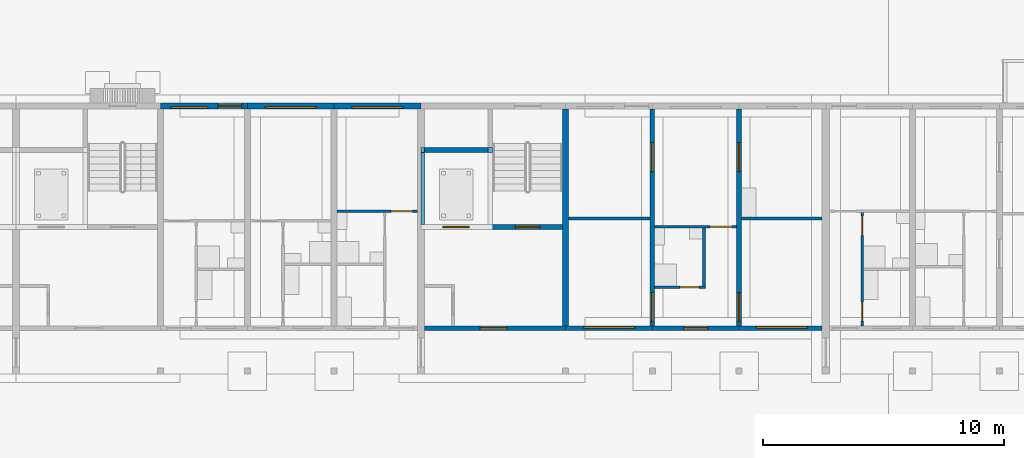
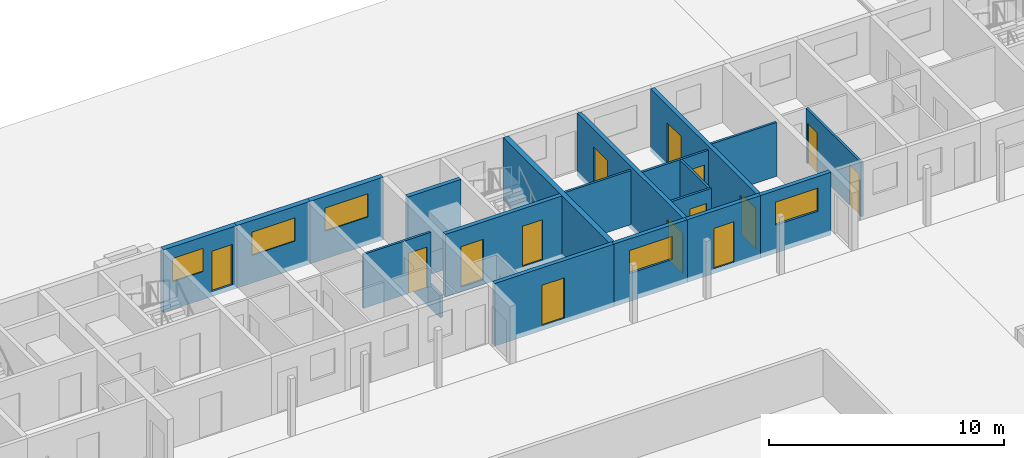
# One storey, part 49 of 112: 21 walls, 14 doors, 5 windows, 19 openings.
"""IFC4 building model written with IfcOpenShell, lengths in metres."""

from ifc_helpers import new_model, si_unit, direction, frame, frame_2d, origin, place, context, subcontext, project, spatial, rectangle, extrude, material, layer, layer_set, type_object, element, fill, save


model = new_model("IFC4")

# Units and contexts
model_context = context("Model", 3, precision=1e-05, world=origin(), true_north=direction((0.0, 1.0)))
body_context = subcontext(model_context, "Body", "Model", "MODEL_VIEW")
ifc_project = project(units=[si_unit("LENGTHUNIT", "METRE"), si_unit("AREAUNIT", "SQUARE_METRE"), si_unit("VOLUMEUNIT", "CUBIC_METRE"), si_unit("PLANEANGLEUNIT", "RADIAN"), si_unit("MASSUNIT", "GRAM", prefix="KILO")], contexts=[model_context])

# Site, building, storey
site_placement = place(None, origin())
site = spatial("IfcSite", under=ifc_project, at=site_placement, CompositionType="ELEMENT")
building_placement = place(site_placement, origin())
building = spatial("IfcBuilding", under=site, at=building_placement, Name="Ridgestep Commons", CompositionType="ELEMENT")
storey_placement = place(building_placement, origin())
storey = spatial("IfcBuildingStorey", under=building, at=storey_placement, Name="L00", CompositionType="ELEMENT", Elevation=0.0)

# Wall
ifc_material_1 = material(Name="Concrete C30/37", Category="concrete")
ifc_layer_1 = layer(ifc_material_1, 0.25)
ifc_layer_set_1 = layer_set([ifc_layer_1], Name="Core cross wall 250")
wall_type_1 = type_object("IfcWallType", Name="Core cross wall 250", PredefinedType="SHEAR", material=ifc_layer_set_1)
wall_1_placement = place(storey_placement, frame((51.60009765625, 68.0, -0.25), z_axis=(0.0, 0.0, 1.0), x_axis=(0.0, 1.0, 0.0)))
element("IfcWall", 1, at=wall_1_placement, inside=storey, type_object=wall_type_1, Name="Cross wall B-00-0516", PredefinedType="SHEAR", context=body_context, shape_type="SweptSolid", body=[
    extrude(rectangle(XDim=9.0, YDim=0.25, at=frame_2d((4.5, 0.0))), origin(), (0.0, 0.0, 1.0), 3.25),
])

# Wall, opening, door
ifc_material_2 = material(Name="Concrete C30/37", Category="concrete")
ifc_layer_2 = layer(ifc_material_2, 0.199951171875)
ifc_layer_set_2 = layer_set([ifc_layer_2], Name="Core south wall 200")
wall_type_2 = type_object("IfcWallType", Name="Core south wall 200", PredefinedType="SHEAR", material=ifc_layer_set_2)
wall_2_placement = place(storey_placement, frame((45.75, 67.89990234375, -0.25), z_axis=(0.0, 0.0, 1.0), x_axis=(1.0, 0.0, 0.0)))
wall_2 = element("IfcWall", 2, at=wall_2_placement, inside=storey, type_object=wall_type_2, Name="Core south wall B3C L00", PredefinedType="SHEAR", context=body_context, shape_type="SweptSolid", body=[
    extrude(rectangle(XDim=5.85009765625, YDim=0.199951171875, at=frame_2d((2.925048828125, 0.0))), origin(), (0.0, 0.0, 1.0), 3.25),
])
opening_1_placement = place(wall_2_placement, frame((2.3125, 0.0, 0.25)))
opening_1 = element("IfcOpeningElement", 3, at=opening_1_placement, cuts=wall_2, Name="Opening B3C/00/1", PredefinedType="OPENING", context=body_context, shape_type="SweptSolid", body=[
    extrude(rectangle(XDim=1.10009765625, YDim=2.10009765625, at=frame_2d((0.550048828125, 1.050048828125))), frame((0.0, 0.10986328125, 0.0), z_axis=(0.0, -1.0, 0.0), x_axis=(1.0, 0.0, 0.0)), (0.0, 0.0, 1.0), 0.219970703125),
])
ifc_material_3 = material(Name="Steel fire door", Category="steel")
door_type_1 = type_object("IfcDoorType", Name="Lobby door 1100 x 2100 FD60", OperationType="NOTDEFINED", PredefinedType="DOOR", material=ifc_material_3)
door_1_placement = place(opening_1_placement, origin())
door_1 = element("IfcDoor", 4, at=door_1_placement, inside=storey, type_object=door_type_1, Name="Lobby door B3C/00/1", OperationType="SINGLE_SWING_LEFT", OverallHeight=2.10009765625, OverallWidth=1.10009765625, PredefinedType="DOOR", context=body_context, shape_type="SweptSolid", body=[
    extrude(rectangle(XDim=1.10009765625, YDim=2.10009765625, at=frame_2d((0.550048828125, 1.050048828125))), frame((0.0, 0.02490234375, 0.0), z_axis=(0.0, -1.0, 0.0), x_axis=(1.0, 0.0, 0.0)), (0.0, 0.0, 1.0), 0.050048828125),
])
fill(opening_1, door_1)

# Wall
ifc_material_4 = material(Name="Concrete C30/37", Category="concrete")
ifc_layer_3 = layer(ifc_material_4, 0.14990234375)
ifc_layer_set_3 = layer_set([ifc_layer_3], Name="Core wall 150")
wall_type_3 = type_object("IfcWallType", Name="Core wall 150", PredefinedType="SHEAR", material=ifc_layer_set_3)
wall_3_placement = place(storey_placement, frame((45.675048828125, 72.199951171875, -1.39990234375), z_axis=(0.0, 0.0, 1.0), x_axis=(0.0, 1.0, 0.0)))
element("IfcWall", 5, at=wall_3_placement, inside=storey, type_object=wall_type_3, Name="Lift pit wall B3C", PredefinedType="SHEAR", context=body_context, shape_type="SweptSolid", body=[
    extrude(rectangle(XDim=3.0, YDim=0.14990234375, at=frame_2d((1.5, 0.0))), origin(), (0.0, 0.0, 1.0), 1.14990234375),
])

# Wall, openings, doors
ifc_material_5 = material(Name="Concrete C30/37", Category="concrete")
ifc_layer_4 = layer(ifc_material_5, 0.199951171875)
ifc_layer_set_4 = layer_set([ifc_layer_4], Name="Core wall 200")
wall_type_4 = type_object("IfcWallType", Name="Core wall 200", PredefinedType="SHEAR", material=ifc_layer_set_4)
wall_4_placement = place(storey_placement, frame((45.75, 72.10009765625, -0.25), z_axis=(0.0, 0.0, 1.0), x_axis=(1.0, 0.0, 0.0)))
wall_4 = element("IfcWall", 6, at=wall_4_placement, inside=storey, type_object=wall_type_4, Name="Core lobby wall B3C L00", PredefinedType="SHEAR", context=body_context, shape_type="SweptSolid", body=[
    extrude(rectangle(XDim=5.72509765625, YDim=0.199951171875, at=frame_2d((2.862548828125, 0.0))), origin(), (0.0, 0.0, 1.0), 3.25),
])
opening_2_placement = place(wall_4_placement, frame((3.77490234375, 0.0, 0.25)))
opening_2 = element("IfcOpeningElement", 7, at=opening_2_placement, cuts=wall_4, Name="Opening B3C/00/2", PredefinedType="OPENING", context=body_context, shape_type="SweptSolid", body=[
    extrude(rectangle(XDim=1.0, YDim=2.10009765625, at=frame_2d((0.5, 1.050048828125))), frame((0.0, 0.10986328125, 0.0), z_axis=(0.0, -1.0, 0.0), x_axis=(1.0, 0.0, 0.0)), (0.0, 0.0, 1.0), 0.219970703125),
])
opening_3_placement = place(wall_4_placement, frame((0.762451171875, 0.0, 0.25)))
opening_3 = element("IfcOpeningElement", 8, at=opening_3_placement, cuts=wall_4, Name="Opening B3C/00/3", PredefinedType="OPENING", context=body_context, shape_type="SweptSolid", body=[
    extrude(rectangle(XDim=1.10009765625, YDim=2.10009765625, at=frame_2d((0.550048828125, 1.050048828125))), frame((0.0, 0.10986328125, 0.0), z_axis=(0.0, -1.0, 0.0), x_axis=(1.0, 0.0, 0.0)), (0.0, 0.0, 1.0), 0.219970703125),
])
ifc_material_6 = material(Name="Stainless steel", Category="steel")
door_type_2 = type_object("IfcDoorType", Name="Lift landing door 1100 x 2100 FD60", OperationType="DOUBLE_DOOR_SLIDING", PredefinedType="DOOR", material=ifc_material_6)
door_2_placement = place(opening_3_placement, origin())
door_2 = element("IfcDoor", 9, at=door_2_placement, inside=storey, type_object=door_type_2, Name="Landing door LD B3C L00", OperationType="DOUBLE_DOOR_SLIDING", OverallHeight=2.10009765625, OverallWidth=1.10009765625, PredefinedType="DOOR", context=body_context, shape_type="SweptSolid", body=[
    extrude(rectangle(XDim=1.10009765625, YDim=2.10009765625, at=frame_2d((0.550048828125, 1.050048828125))), frame((0.0, 0.02490234375, 0.0), z_axis=(0.0, -1.0, 0.0), x_axis=(1.0, 0.0, 0.0)), (0.0, 0.0, 1.0), 0.050048828125),
])
fill(opening_3, door_2)
ifc_material_7 = material(Name="Steel fire door", Category="steel")
door_type_3 = type_object("IfcDoorType", Name="Stair door 1000 x 2100 FD60", OperationType="NOTDEFINED", PredefinedType="DOOR", material=ifc_material_7)
door_3_placement = place(opening_2_placement, origin())
door_3 = element("IfcDoor", 10, at=door_3_placement, inside=storey, type_object=door_type_3, Name="Stair door B3C/00/2", OperationType="SINGLE_SWING_RIGHT", OverallHeight=2.10009765625, OverallWidth=1.0, PredefinedType="DOOR", context=body_context, shape_type="SweptSolid", body=[
    extrude(rectangle(XDim=1.0, YDim=2.10009765625, at=frame_2d((0.5, 1.050048828125))), frame((0.0, 0.02490234375, 0.0), z_axis=(0.0, -1.0, 0.0), x_axis=(1.0, 0.0, 0.0)), (0.0, 0.0, 1.0), 0.050048828125),
])
fill(opening_2, door_3)

# Walls
wall_5_placement = place(storey_placement, frame((45.75, 75.300048828125, -0.25), z_axis=(0.0, 0.0, 1.0), x_axis=(1.0, 0.0, 0.0)))
element("IfcWall", 11, at=wall_5_placement, inside=storey, type_object=wall_type_4, Name="Core duct wall B3C L00", PredefinedType="SHEAR", context=body_context, shape_type="SweptSolid", body=[
    extrude(rectangle(XDim=2.625, YDim=0.199951171875, at=frame_2d((1.3125, 0.0))), origin(), (0.0, 0.0, 1.0), 3.25),
])
wall_6_placement = place(storey_placement, frame((45.60009765625, 75.300048828125, -1.39990234375), z_axis=(0.0, 0.0, 1.0), x_axis=(1.0, 0.0, 0.0)))
element("IfcWall", 12, at=wall_6_placement, inside=storey, type_object=wall_type_4, Name="Lift pit wall B3C", PredefinedType="SHEAR", context=body_context, shape_type="SweptSolid", body=[
    extrude(rectangle(XDim=2.974853515625, YDim=0.199951171875, at=frame_2d((1.4873046875, 0.0))), origin(), (0.0, 0.0, 1.0), 1.14990234375),
])

# Wall, openings, doors
ifc_material_8 = material(Name="Precast concrete C40/50", Category="concrete")
ifc_layer_5 = layer(ifc_material_8, 0.199951171875)
ifc_layer_set_5 = layer_set([ifc_layer_5], Name="Cross wall 200")
wall_type_5 = type_object("IfcWallType", Name="Cross wall 200", PredefinedType="SHEAR", material=ifc_layer_set_5)
wall_7_placement = place(storey_placement, frame((55.199951171875, 68.0, -0.25), z_axis=(0.0, 0.0, 1.0), x_axis=(0.0, 1.0, 0.0)))
wall_7 = element("IfcWall", 13, at=wall_7_placement, inside=storey, type_object=wall_type_5, Name="Cross wall B-00-0552", PredefinedType="SHEAR", context=body_context, shape_type="SweptSolid", body=[
    extrude(rectangle(XDim=9.0, YDim=0.199951171875, at=frame_2d((4.5, 0.0))), origin(), (0.0, 0.0, 1.0), 3.25),
])
opening_4_placement = place(wall_7_placement, frame((0.175048828125, 0.0, 0.25)))
opening_4 = element("IfcOpeningElement", 14, at=opening_4_placement, cuts=wall_7, Name="Opening B3-00a/4", PredefinedType="OPENING", context=body_context, shape_type="SweptSolid", body=[
    extrude(rectangle(XDim=1.199951171875, YDim=2.10009765625, at=frame_2d((0.60009765625, 1.050048828125))), frame((0.0, 0.10986328125, 0.0), z_axis=(0.0, -1.0, 0.0), x_axis=(1.0, 0.0, 0.0)), (0.0, 0.0, 1.0), 0.219970703125),
])
opening_5_placement = place(wall_7_placement, frame((6.39990234375, 0.0, 0.25)))
opening_5 = element("IfcOpeningElement", 15, at=opening_5_placement, cuts=wall_7, Name="Opening B3-00a/5", PredefinedType="OPENING", context=body_context, shape_type="SweptSolid", body=[
    extrude(rectangle(XDim=1.199951171875, YDim=2.10009765625, at=frame_2d((0.60009765625, 1.050048828125))), frame((0.0, 0.10986328125, 0.0), z_axis=(0.0, -1.0, 0.0), x_axis=(1.0, 0.0, 0.0)), (0.0, 0.0, 1.0), 0.219970703125),
])
ifc_material_9 = material(Name="Timber door leaf", Category="wood")
door_type_4 = type_object("IfcDoorType", Name="Double door 1200 x 2100", OperationType="DOUBLE_DOOR_SINGLE_SWING", PredefinedType="DOOR", material=ifc_material_9)
door_4_placement = place(opening_4_placement, origin())
door_4 = element("IfcDoor", 16, at=door_4_placement, inside=storey, type_object=door_type_4, Name="Double door B3-00a/4", OperationType="DOUBLE_DOOR_SINGLE_SWING", OverallHeight=2.10009765625, OverallWidth=1.199951171875, PredefinedType="DOOR", context=body_context, shape_type="SweptSolid", body=[
    extrude(rectangle(XDim=1.199951171875, YDim=2.10009765625, at=frame_2d((0.60009765625, 1.050048828125))), frame((0.0, 0.02490234375, 0.0), z_axis=(0.0, -1.0, 0.0), x_axis=(1.0, 0.0, 0.0)), (0.0, 0.0, 1.0), 0.050048828125),
])
fill(opening_4, door_4)
door_5_placement = place(opening_5_placement, origin())
door_5 = element("IfcDoor", 17, at=door_5_placement, inside=storey, type_object=door_type_4, Name="Double door B3-00a/5", OperationType="DOUBLE_DOOR_SINGLE_SWING", OverallHeight=2.10009765625, OverallWidth=1.199951171875, PredefinedType="DOOR", context=body_context, shape_type="SweptSolid", body=[
    extrude(rectangle(XDim=1.199951171875, YDim=2.10009765625, at=frame_2d((0.60009765625, 1.050048828125))), frame((0.0, 0.02490234375, 0.0), z_axis=(0.0, -1.0, 0.0), x_axis=(1.0, 0.0, 0.0)), (0.0, 0.0, 1.0), 0.050048828125),
])
fill(opening_5, door_5)

wall_8_placement = place(storey_placement, frame((58.800048828125, 68.0, -0.25), z_axis=(0.0, 0.0, 1.0), x_axis=(0.0, 1.0, 0.0)))
wall_8 = element("IfcWall", 18, at=wall_8_placement, inside=storey, type_object=wall_type_5, Name="Cross wall B-00-0588", PredefinedType="SHEAR", context=body_context, shape_type="SweptSolid", body=[
    extrude(rectangle(XDim=9.0, YDim=0.199951171875, at=frame_2d((4.5, 0.0))), origin(), (0.0, 0.0, 1.0), 3.25),
])
opening_6_placement = place(wall_8_placement, frame((0.175048828125, 0.0, 0.25)))
opening_6 = element("IfcOpeningElement", 19, at=opening_6_placement, cuts=wall_8, Name="Opening B3-00a/6", PredefinedType="OPENING", context=body_context, shape_type="SweptSolid", body=[
    extrude(rectangle(XDim=1.199951171875, YDim=2.10009765625, at=frame_2d((0.60009765625, 1.050048828125))), frame((0.0, 0.10986328125, 0.0), z_axis=(0.0, -1.0, 0.0), x_axis=(1.0, 0.0, 0.0)), (0.0, 0.0, 1.0), 0.219970703125),
])
opening_7_placement = place(wall_8_placement, frame((6.39990234375, 0.0, 0.25)))
opening_7 = element("IfcOpeningElement", 20, at=opening_7_placement, cuts=wall_8, Name="Opening B3-00a/7", PredefinedType="OPENING", context=body_context, shape_type="SweptSolid", body=[
    extrude(rectangle(XDim=1.199951171875, YDim=2.10009765625, at=frame_2d((0.60009765625, 1.050048828125))), frame((0.0, 0.10986328125, 0.0), z_axis=(0.0, -1.0, 0.0), x_axis=(1.0, 0.0, 0.0)), (0.0, 0.0, 1.0), 0.219970703125),
])
door_6_placement = place(opening_6_placement, origin())
door_6 = element("IfcDoor", 21, at=door_6_placement, inside=storey, type_object=door_type_4, Name="Double door B3-00a/6", OperationType="DOUBLE_DOOR_SINGLE_SWING", OverallHeight=2.10009765625, OverallWidth=1.199951171875, PredefinedType="DOOR", context=body_context, shape_type="SweptSolid", body=[
    extrude(rectangle(XDim=1.199951171875, YDim=2.10009765625, at=frame_2d((0.60009765625, 1.050048828125))), frame((0.0, 0.02490234375, 0.0), z_axis=(0.0, -1.0, 0.0), x_axis=(1.0, 0.0, 0.0)), (0.0, 0.0, 1.0), 0.050048828125),
])
fill(opening_6, door_6)
door_7_placement = place(opening_7_placement, origin())
door_7 = element("IfcDoor", 22, at=door_7_placement, inside=storey, type_object=door_type_4, Name="Double door B3-00a/7", OperationType="DOUBLE_DOOR_SINGLE_SWING", OverallHeight=2.10009765625, OverallWidth=1.199951171875, PredefinedType="DOOR", context=body_context, shape_type="SweptSolid", body=[
    extrude(rectangle(XDim=1.199951171875, YDim=2.10009765625, at=frame_2d((0.60009765625, 1.050048828125))), frame((0.0, 0.02490234375, 0.0), z_axis=(0.0, -1.0, 0.0), x_axis=(1.0, 0.0, 0.0)), (0.0, 0.0, 1.0), 0.050048828125),
])
fill(opening_7, door_7)

# Wall, openings, door, window
ifc_material_10 = material(Name="Precast concrete C40/50", Category="concrete")
ifc_layer_6 = layer(ifc_material_10, 0.25)
ifc_layer_set_6 = layer_set([ifc_layer_6], Name="North facade panel 250")
wall_type_6 = type_object("IfcWallType", Name="North facade panel 250", PredefinedType="SOLIDWALL", material=ifc_layer_set_6)
wall_9_placement = place(storey_placement, frame((34.800048828125, 77.125, -0.25), z_axis=(0.0, 0.0, 1.0), x_axis=(1.0, 0.0, 0.0)))
wall_9 = element("IfcWall", 23, at=wall_9_placement, inside=storey, type_object=wall_type_6, Name="North panel B2T3 L00", PredefinedType="SOLIDWALL", context=body_context, shape_type="SweptSolid", body=[
    extrude(rectangle(XDim=3.599853515625, YDim=0.25, at=frame_2d((1.7998046875, 0.0))), origin(), (0.0, 0.0, 1.0), 3.25),
])
opening_8_placement = place(wall_9_placement, frame((0.449951171875, 0.0, 1.449951171875)))
opening_8 = element("IfcOpeningElement", 24, at=opening_8_placement, cuts=wall_9, Name="Opening W13", PredefinedType="OPENING", context=body_context, shape_type="SweptSolid", body=[
    extrude(rectangle(XDim=1.5, YDim=1.199951171875, at=frame_2d((0.75, 0.60009765625))), frame((0.0, 0.135009765625, 0.0), z_axis=(0.0, -1.0, 0.0), x_axis=(1.0, 0.0, 0.0)), (0.0, 0.0, 1.0), 0.27001953125),
])
opening_9_placement = place(wall_9_placement, frame((2.375, 0.0, 0.25)))
opening_9 = element("IfcOpeningElement", 25, at=opening_9_placement, cuts=wall_9, Name="Opening B2-00c/5", PredefinedType="OPENING", context=body_context, shape_type="SweptSolid", body=[
    extrude(rectangle(XDim=1.0, YDim=2.10009765625, at=frame_2d((0.5, 1.050048828125))), frame((0.0, 0.135009765625, 0.0), z_axis=(0.0, -1.0, 0.0), x_axis=(1.0, 0.0, 0.0)), (0.0, 0.0, 1.0), 0.27001953125),
])
ifc_material_11 = material(Name="Aluminium and glass", Category="aluminium")
door_type_5 = type_object("IfcDoorType", Name="Balcony door 1000 x 2100", OperationType="NOTDEFINED", PredefinedType="DOOR", material=ifc_material_11)
door_8_placement = place(opening_9_placement, origin())
door_8 = element("IfcDoor", 26, at=door_8_placement, inside=storey, type_object=door_type_5, Name="Balcony door B2-00c/5", OperationType="SINGLE_SWING_LEFT", OverallHeight=2.10009765625, OverallWidth=1.0, PredefinedType="DOOR", context=body_context, shape_type="SweptSolid", body=[
    extrude(rectangle(XDim=1.0, YDim=2.10009765625, at=frame_2d((0.5, 1.050048828125))), frame((0.0, 0.02490234375, 0.0), z_axis=(0.0, -1.0, 0.0), x_axis=(1.0, 0.0, 0.0)), (0.0, 0.0, 1.0), 0.050048828125),
])
fill(opening_9, door_8)
ifc_material_12 = material(Name="Aluminium 6063-T6 and glass", Category="aluminium")
window_type_1 = type_object("IfcWindowType", Name="Flat window 1500 x 1200", PartitioningType="DOUBLE_PANEL_VERTICAL", PredefinedType="WINDOW", material=ifc_material_12)
window_1_placement = place(opening_8_placement, origin())
window_1 = element("IfcWindow", 27, at=window_1_placement, inside=storey, type_object=window_type_1, Name="Window B2-00c 2", OverallHeight=1.199951171875, OverallWidth=1.5, PartitioningType="SINGLE_PANEL", PredefinedType="WINDOW", context=body_context, shape_type="SweptSolid", body=[
    extrude(rectangle(XDim=1.5, YDim=1.199951171875, at=frame_2d((0.75, 0.60009765625))), frame((0.0, -0.02490234375, 0.0), z_axis=(0.0, -1.0, 0.0), x_axis=(1.0, 0.0, 0.0)), (0.0, 0.0, 1.0), 0.06005859375),
])
fill(opening_8, window_1)

# Wall, opening, window
wall_10_placement = place(storey_placement, frame((38.39990234375, 77.125, -0.25), z_axis=(0.0, 0.0, 1.0), x_axis=(1.0, 0.0, 0.0)))
wall_10 = element("IfcWall", 28, at=wall_10_placement, inside=storey, type_object=wall_type_6, Name="North panel B2T2 L00", PredefinedType="SOLIDWALL", context=body_context, shape_type="SweptSolid", body=[
    extrude(rectangle(XDim=3.60009765625, YDim=0.25, at=frame_2d((1.800048828125, 0.0))), origin(), (0.0, 0.0, 1.0), 3.25),
])
opening_10_placement = place(wall_10_placement, frame((0.75, 0.0, 1.449951171875)))
opening_10 = element("IfcOpeningElement", 29, at=opening_10_placement, cuts=wall_10, Name="Opening W22", PredefinedType="OPENING", context=body_context, shape_type="SweptSolid", body=[
    extrude(rectangle(XDim=2.10009765625, YDim=1.199951171875, at=frame_2d((1.050048828125, 0.60009765625))), frame((0.0, 0.135009765625, 0.0), z_axis=(0.0, -1.0, 0.0), x_axis=(1.0, 0.0, 0.0)), (0.0, 0.0, 1.0), 0.27001953125),
])
ifc_material_13 = material(Name="Aluminium 6063-T6 and glass", Category="aluminium")
window_type_2 = type_object("IfcWindowType", Name="Flat window 2100 x 1200", PartitioningType="DOUBLE_PANEL_VERTICAL", PredefinedType="WINDOW", material=ifc_material_13)
window_2_placement = place(opening_10_placement, origin())
window_2 = element("IfcWindow", 30, at=window_2_placement, inside=storey, type_object=window_type_2, Name="Window B2-00b 2", OverallHeight=1.199951171875, OverallWidth=2.10009765625, PartitioningType="SINGLE_PANEL", PredefinedType="WINDOW", context=body_context, shape_type="SweptSolid", body=[
    extrude(rectangle(XDim=2.10009765625, YDim=1.199951171875, at=frame_2d((1.050048828125, 0.60009765625))), frame((0.0, -0.02490234375, 0.0), z_axis=(0.0, -1.0, 0.0), x_axis=(1.0, 0.0, 0.0)), (0.0, 0.0, 1.0), 0.06005859375),
])
fill(opening_10, window_2)

wall_11_placement = place(storey_placement, frame((42.0, 77.125, -0.25), z_axis=(0.0, 0.0, 1.0), x_axis=(1.0, 0.0, 0.0)))
wall_11 = element("IfcWall", 31, at=wall_11_placement, inside=storey, type_object=wall_type_6, Name="North panel B2T1 L00", PredefinedType="SOLIDWALL", context=body_context, shape_type="SweptSolid", body=[
    extrude(rectangle(XDim=3.60009765625, YDim=0.25, at=frame_2d((1.800048828125, 0.0))), origin(), (0.0, 0.0, 1.0), 3.25),
])
opening_11_placement = place(wall_11_placement, frame((0.737548828125, 0.0, 1.449951171875)))
opening_11 = element("IfcOpeningElement", 32, at=opening_11_placement, cuts=wall_11, Name="Opening W22", PredefinedType="OPENING", context=body_context, shape_type="SweptSolid", body=[
    extrude(rectangle(XDim=2.10009765625, YDim=1.199951171875, at=frame_2d((1.050048828125, 0.60009765625))), frame((0.0, 0.135009765625, 0.0), z_axis=(0.0, -1.0, 0.0), x_axis=(1.0, 0.0, 0.0)), (0.0, 0.0, 1.0), 0.27001953125),
])
window_3_placement = place(opening_11_placement, origin())
window_3 = element("IfcWindow", 33, at=window_3_placement, inside=storey, type_object=window_type_2, Name="Window B2-00a 2", OverallHeight=1.199951171875, OverallWidth=2.10009765625, PartitioningType="SINGLE_PANEL", PredefinedType="WINDOW", context=body_context, shape_type="SweptSolid", body=[
    extrude(rectangle(XDim=2.10009765625, YDim=1.199951171875, at=frame_2d((1.050048828125, 0.60009765625))), frame((0.0, -0.02490234375, 0.0), z_axis=(0.0, -1.0, 0.0), x_axis=(1.0, 0.0, 0.0)), (0.0, 0.0, 1.0), 0.06005859375),
])
fill(opening_11, window_3)

# Wall, opening, door
ifc_material_14 = material(Name="Common brick 110 mm", Category="masonry")
ifc_layer_7 = layer(ifc_material_14, 0.110107421875)
ifc_layer_set_7 = layer_set([ifc_layer_7], Name="Partition 110")
wall_type_7 = type_object("IfcWallType", Name="Partition 110", PredefinedType="PARTITIONING", material=ifc_layer_set_7)
wall_12_placement = place(storey_placement, frame((42.125, 72.7548828125, 0.0), z_axis=(0.0, 0.0, 1.0), x_axis=(1.0, 0.0, 0.0)))
wall_12 = element("IfcWall", 34, at=wall_12_placement, inside=storey, type_object=wall_type_7, Name="Partition B2-00a", PredefinedType="PARTITIONING", context=body_context, shape_type="SweptSolid", body=[
    extrude(rectangle(XDim=3.324951171875, YDim=0.110107421875, at=frame_2d((1.66259765625, 0.0))), origin(), (0.0, 0.0, 1.0), 2.800048828125),
])
opening_12_placement = place(wall_12_placement, frame((2.22509765625, 0.0, 0.0)))
opening_12 = element("IfcOpeningElement", 35, at=opening_12_placement, cuts=wall_12, Name="Opening B2-00a/4", PredefinedType="OPENING", context=body_context, shape_type="SweptSolid", body=[
    extrude(rectangle(XDim=0.89990234375, YDim=2.10009765625, at=frame_2d((0.449951171875, 1.050048828125))), frame((0.0, 0.06494140625, 0.0), z_axis=(0.0, -1.0, 0.0), x_axis=(1.0, 0.0, 0.0)), (0.0, 0.0, 1.0), 0.130126953125),
])
ifc_material_15 = material(Name="Timber door leaf", Category="wood")
door_type_6 = type_object("IfcDoorType", Name="Internal door 900 x 2100", OperationType="NOTDEFINED", PredefinedType="DOOR", material=ifc_material_15)
door_9_placement = place(opening_12_placement, origin())
door_9 = element("IfcDoor", 36, at=door_9_placement, inside=storey, type_object=door_type_6, Name="Internal door B2-00a/4", OperationType="SINGLE_SWING_LEFT", OverallHeight=2.10009765625, OverallWidth=0.89990234375, PredefinedType="DOOR", context=body_context, shape_type="SweptSolid", body=[
    extrude(rectangle(XDim=0.89990234375, YDim=2.10009765625, at=frame_2d((0.449951171875, 1.050048828125))), frame((0.0, 0.02490234375, 0.0), z_axis=(0.0, -1.0, 0.0), x_axis=(1.0, 0.0, 0.0)), (0.0, 0.0, 1.0), 0.050048828125),
])
fill(opening_12, door_9)

wall_13_placement = place(storey_placement, frame((55.300048828125, 69.60498046875, 0.0), z_axis=(0.0, 0.0, 1.0), x_axis=(1.0, 0.0, 0.0)))
wall_13 = element("IfcWall", 37, at=wall_13_placement, inside=storey, type_object=wall_type_7, Name="Partition B3-00a", PredefinedType="PARTITIONING", context=body_context, shape_type="SweptSolid", body=[
    extrude(rectangle(XDim=2.099853515625, YDim=0.110107421875, at=frame_2d((1.0498046875, 0.0))), origin(), (0.0, 0.0, 1.0), 2.800048828125),
])
opening_13_placement = place(wall_13_placement, frame((1.0400390625, 0.0, 0.0)))
opening_13 = element("IfcOpeningElement", 38, at=opening_13_placement, cuts=wall_13, Name="Opening B3-00a/2", PredefinedType="OPENING", context=body_context, shape_type="SweptSolid", body=[
    extrude(rectangle(XDim=0.800048828125, YDim=2.10009765625, at=frame_2d((0.39990234375, 1.050048828125))), frame((0.0, 0.06494140625, 0.0), z_axis=(0.0, -1.0, 0.0), x_axis=(1.0, 0.0, 0.0)), (0.0, 0.0, 1.0), 0.130126953125),
])
ifc_material_16 = material(Name="Timber door leaf", Category="wood")
door_type_7 = type_object("IfcDoorType", Name="Internal door 800 x 2100", OperationType="NOTDEFINED", PredefinedType="DOOR", material=ifc_material_16)
door_10_placement = place(opening_13_placement, origin())
door_10 = element("IfcDoor", 39, at=door_10_placement, inside=storey, type_object=door_type_7, Name="Internal door B3-00a/2", OperationType="SINGLE_SWING_RIGHT", OverallHeight=2.10009765625, OverallWidth=0.800048828125, PredefinedType="DOOR", context=body_context, shape_type="SweptSolid", body=[
    extrude(rectangle(XDim=0.800048828125, YDim=2.10009765625, at=frame_2d((0.39990234375, 1.050048828125))), frame((0.0, 0.02490234375, 0.0), z_axis=(0.0, -1.0, 0.0), x_axis=(1.0, 0.0, 0.0)), (0.0, 0.0, 1.0), 0.050048828125),
])
fill(opening_13, door_10)

# Wall
wall_14_placement = place(storey_placement, frame((57.344970703125, 69.659912109375, 0.0), z_axis=(0.0, 0.0, 1.0), x_axis=(0.0, 1.0, 0.0)))
element("IfcWall", 40, at=wall_14_placement, inside=storey, type_object=wall_type_7, Name="Partition B3-00a", PredefinedType="PARTITIONING", context=body_context, shape_type="SweptSolid", body=[
    extrude(rectangle(XDim=2.400146484375, YDim=0.110107421875, at=frame_2d((1.2001953125, 0.0))), origin(), (0.0, 0.0, 1.0), 2.800048828125),
])

# Wall, opening, door
wall_15_placement = place(storey_placement, frame((55.300048828125, 72.114990234375, 0.0), z_axis=(0.0, 0.0, 1.0), x_axis=(1.0, 0.0, 0.0)))
wall_15 = element("IfcWall", 41, at=wall_15_placement, inside=storey, type_object=wall_type_7, Name="Partition B3-00a", PredefinedType="PARTITIONING", context=body_context, shape_type="SweptSolid", body=[
    extrude(rectangle(XDim=3.39990234375, YDim=0.110107421875, at=frame_2d((1.699951171875, 0.0))), origin(), (0.0, 0.0, 1.0), 2.800048828125),
])
opening_14_placement = place(wall_15_placement, frame((2.300048828125, 0.0, 0.0)))
opening_14 = element("IfcOpeningElement", 42, at=opening_14_placement, cuts=wall_15, Name="Opening B3-00a/3", PredefinedType="OPENING", context=body_context, shape_type="SweptSolid", body=[
    extrude(rectangle(XDim=0.89990234375, YDim=2.10009765625, at=frame_2d((0.449951171875, 1.050048828125))), frame((0.0, 0.06494140625, 0.0), z_axis=(0.0, -1.0, 0.0), x_axis=(1.0, 0.0, 0.0)), (0.0, 0.0, 1.0), 0.130126953125),
])
door_11_placement = place(opening_14_placement, origin())
door_11 = element("IfcDoor", 43, at=door_11_placement, inside=storey, type_object=door_type_6, Name="Internal door B3-00a/3", OperationType="SINGLE_SWING_LEFT", OverallHeight=2.10009765625, OverallWidth=0.89990234375, PredefinedType="DOOR", context=body_context, shape_type="SweptSolid", body=[
    extrude(rectangle(XDim=0.89990234375, YDim=2.10009765625, at=frame_2d((0.449951171875, 1.050048828125))), frame((0.0, 0.02490234375, 0.0), z_axis=(0.0, -1.0, 0.0), x_axis=(1.0, 0.0, 0.0)), (0.0, 0.0, 1.0), 0.050048828125),
])
fill(opening_14, door_11)

# Walls
wall_16_placement = place(storey_placement, frame((51.72509765625, 72.455078125, 0.0), z_axis=(0.0, 0.0, 1.0), x_axis=(1.0, 0.0, 0.0)))
element("IfcWall", 44, at=wall_16_placement, inside=storey, type_object=wall_type_7, Name="Partition B3-00a", PredefinedType="PARTITIONING", context=body_context, shape_type="SweptSolid", body=[
    extrude(rectangle(XDim=3.375, YDim=0.110107421875, at=frame_2d((1.6875, 0.0))), origin(), (0.0, 0.0, 1.0), 2.800048828125),
])
wall_17_placement = place(storey_placement, frame((58.89990234375, 72.455078125, 0.0), z_axis=(0.0, 0.0, 1.0), x_axis=(1.0, 0.0, 0.0)))
element("IfcWall", 45, at=wall_17_placement, inside=storey, type_object=wall_type_7, Name="Partition B3-00a", PredefinedType="PARTITIONING", context=body_context, shape_type="SweptSolid", body=[
    extrude(rectangle(XDim=3.35009765625, YDim=0.110107421875, at=frame_2d((1.675048828125, 0.0))), origin(), (0.0, 0.0, 1.0), 2.800048828125),
])

# Wall, openings, doors
wall_18_placement = place(storey_placement, frame((63.905029296875, 68.0, 0.0), z_axis=(0.0, 0.0, 1.0), x_axis=(0.0, 1.0, 0.0)))
wall_18 = element("IfcWall", 46, at=wall_18_placement, inside=storey, type_object=wall_type_7, Name="Partition B4-00a", PredefinedType="PARTITIONING", context=body_context, shape_type="SweptSolid", body=[
    extrude(rectangle(XDim=4.699951171875, YDim=0.110107421875, at=frame_2d((2.35009765625, 0.0))), origin(), (0.0, 0.0, 1.0), 2.800048828125),
])
opening_15_placement = place(wall_18_placement, frame((0.199951171875, 0.0, 0.0)))
opening_15 = element("IfcOpeningElement", 47, at=opening_15_placement, cuts=wall_18, Name="Opening B4-00a/2", PredefinedType="OPENING", context=body_context, shape_type="SweptSolid", body=[
    extrude(rectangle(XDim=0.800048828125, YDim=2.10009765625, at=frame_2d((0.39990234375, 1.050048828125))), frame((0.0, 0.06494140625, 0.0), z_axis=(0.0, -1.0, 0.0), x_axis=(1.0, 0.0, 0.0)), (0.0, 0.0, 1.0), 0.130126953125),
])
opening_16_placement = place(wall_18_placement, frame((3.75, 0.0, 0.0)))
opening_16 = element("IfcOpeningElement", 48, at=opening_16_placement, cuts=wall_18, Name="Opening B4-00a/3", PredefinedType="OPENING", context=body_context, shape_type="SweptSolid", body=[
    extrude(rectangle(XDim=0.800048828125, YDim=2.10009765625, at=frame_2d((0.39990234375, 1.050048828125))), frame((0.0, 0.06494140625, 0.0), z_axis=(0.0, -1.0, 0.0), x_axis=(1.0, 0.0, 0.0)), (0.0, 0.0, 1.0), 0.130126953125),
])
door_12_placement = place(opening_15_placement, origin())
door_12 = element("IfcDoor", 49, at=door_12_placement, inside=storey, type_object=door_type_7, Name="Internal door B4-00a/2", OperationType="SINGLE_SWING_RIGHT", OverallHeight=2.10009765625, OverallWidth=0.800048828125, PredefinedType="DOOR", context=body_context, shape_type="SweptSolid", body=[
    extrude(rectangle(XDim=0.800048828125, YDim=2.10009765625, at=frame_2d((0.39990234375, 1.050048828125))), frame((0.0, 0.02490234375, 0.0), z_axis=(0.0, -1.0, 0.0), x_axis=(1.0, 0.0, 0.0)), (0.0, 0.0, 1.0), 0.050048828125),
])
fill(opening_15, door_12)
door_13_placement = place(opening_16_placement, origin())
door_13 = element("IfcDoor", 50, at=door_13_placement, inside=storey, type_object=door_type_7, Name="Internal door B4-00a/3", OperationType="SINGLE_SWING_LEFT", OverallHeight=2.10009765625, OverallWidth=0.800048828125, PredefinedType="DOOR", context=body_context, shape_type="SweptSolid", body=[
    extrude(rectangle(XDim=0.800048828125, YDim=2.10009765625, at=frame_2d((0.39990234375, 1.050048828125))), frame((0.0, 0.02490234375, 0.0), z_axis=(0.0, -1.0, 0.0), x_axis=(1.0, 0.0, 0.0)), (0.0, 0.0, 1.0), 0.050048828125),
])
fill(opening_16, door_13)

# Wall, opening, window
ifc_material_17 = material(Name="Precast concrete C40/50", Category="concrete")
ifc_layer_8 = layer(ifc_material_17, 0.199951171875)
ifc_layer_set_8 = layer_set([ifc_layer_8], Name="South facade panel 200")
wall_type_8 = type_object("IfcWallType", Name="South facade panel 200", PredefinedType="SOLIDWALL", material=ifc_layer_set_8)
wall_19_placement = place(storey_placement, frame((51.60009765625, 67.89990234375, -0.25), z_axis=(0.0, 0.0, 1.0), x_axis=(1.0, 0.0, 0.0)))
wall_19 = element("IfcWall", 51, at=wall_19_placement, inside=storey, type_object=wall_type_8, Name="South panel B3T3 L00", PredefinedType="SOLIDWALL", context=body_context, shape_type="SweptSolid", body=[
    extrude(rectangle(XDim=3.599853515625, YDim=0.199951171875, at=frame_2d((1.7998046875, 0.0))), origin(), (0.0, 0.0, 1.0), 3.25),
])
opening_17_placement = place(wall_19_placement, frame((0.762451171875, 0.0, 1.449951171875)))
opening_17 = element("IfcOpeningElement", 52, at=opening_17_placement, cuts=wall_19, Name="Opening W22", PredefinedType="OPENING", context=body_context, shape_type="SweptSolid", body=[
    extrude(rectangle(XDim=2.10009765625, YDim=1.199951171875, at=frame_2d((1.050048828125, 0.60009765625))), frame((0.0, 0.10986328125, 0.0), z_axis=(0.0, -1.0, 0.0), x_axis=(1.0, 0.0, 0.0)), (0.0, 0.0, 1.0), 0.219970703125),
])
window_4_placement = place(opening_17_placement, origin())
window_4 = element("IfcWindow", 53, at=window_4_placement, inside=storey, type_object=window_type_2, Name="Window B3-00a 1", OverallHeight=1.199951171875, OverallWidth=2.10009765625, PartitioningType="SINGLE_PANEL", PredefinedType="WINDOW", context=body_context, shape_type="SweptSolid", body=[
    extrude(rectangle(XDim=2.10009765625, YDim=1.199951171875, at=frame_2d((1.050048828125, 0.60009765625))), frame((0.0, 0.06005859375, 0.0), z_axis=(0.0, -1.0, 0.0), x_axis=(1.0, 0.0, 0.0)), (0.0, 0.0, 1.0), 0.06005859375),
])
fill(opening_17, window_4)

# Wall, opening, door
wall_20_placement = place(storey_placement, frame((55.199951171875, 67.89990234375, -0.25), z_axis=(0.0, 0.0, 1.0), x_axis=(1.0, 0.0, 0.0)))
wall_20 = element("IfcWall", 54, at=wall_20_placement, inside=storey, type_object=wall_type_8, Name="South panel B3T2 L00", PredefinedType="SOLIDWALL", context=body_context, shape_type="SweptSolid", body=[
    extrude(rectangle(XDim=3.60009765625, YDim=0.199951171875, at=frame_2d((1.800048828125, 0.0))), origin(), (0.0, 0.0, 1.0), 3.25),
])
opening_18_placement = place(wall_20_placement, frame((1.300048828125, 0.0, 0.25)))
opening_18 = element("IfcOpeningElement", 55, at=opening_18_placement, cuts=wall_20, Name="Opening B3-00a/1", PredefinedType="OPENING", context=body_context, shape_type="SweptSolid", body=[
    extrude(rectangle(XDim=1.0, YDim=2.10009765625, at=frame_2d((0.5, 1.050048828125))), frame((0.0, 0.10986328125, 0.0), z_axis=(0.0, -1.0, 0.0), x_axis=(1.0, 0.0, 0.0)), (0.0, 0.0, 1.0), 0.219970703125),
])
ifc_material_18 = material(Name="Timber door leaf", Category="wood")
door_type_8 = type_object("IfcDoorType", Name="Flat entrance door 1000 x 2100 FD30S", OperationType="NOTDEFINED", PredefinedType="DOOR", material=ifc_material_18)
door_14_placement = place(opening_18_placement, origin())
door_14 = element("IfcDoor", 56, at=door_14_placement, inside=storey, type_object=door_type_8, Name="Flat entrance door B3-00a/1", OperationType="SINGLE_SWING_RIGHT", OverallHeight=2.10009765625, OverallWidth=1.0, PredefinedType="DOOR", context=body_context, shape_type="SweptSolid", body=[
    extrude(rectangle(XDim=1.0, YDim=2.10009765625, at=frame_2d((0.5, 1.050048828125))), frame((0.0, 0.02490234375, 0.0), z_axis=(0.0, -1.0, 0.0), x_axis=(1.0, 0.0, 0.0)), (0.0, 0.0, 1.0), 0.050048828125),
])
fill(opening_18, door_14)

# Wall, opening, window
wall_21_placement = place(storey_placement, frame((58.800048828125, 67.89990234375, -0.25), z_axis=(0.0, 0.0, 1.0), x_axis=(1.0, 0.0, 0.0)))
wall_21 = element("IfcWall", 57, at=wall_21_placement, inside=storey, type_object=wall_type_8, Name="South panel B3T1 L00", PredefinedType="SOLIDWALL", context=body_context, shape_type="SweptSolid", body=[
    extrude(rectangle(XDim=3.449951171875, YDim=0.199951171875, at=frame_2d((1.72509765625, 0.0))), origin(), (0.0, 0.0, 1.0), 3.25),
])
opening_19_placement = place(wall_21_placement, frame((0.72509765625, 0.0, 1.449951171875)))
opening_19 = element("IfcOpeningElement", 58, at=opening_19_placement, cuts=wall_21, Name="Opening W22", PredefinedType="OPENING", context=body_context, shape_type="SweptSolid", body=[
    extrude(rectangle(XDim=2.10009765625, YDim=1.199951171875, at=frame_2d((1.050048828125, 0.60009765625))), frame((0.0, 0.10986328125, 0.0), z_axis=(0.0, -1.0, 0.0), x_axis=(1.0, 0.0, 0.0)), (0.0, 0.0, 1.0), 0.219970703125),
])
window_5_placement = place(opening_19_placement, origin())
window_5 = element("IfcWindow", 59, at=window_5_placement, inside=storey, type_object=window_type_2, Name="Window B3-00a 3", OverallHeight=1.199951171875, OverallWidth=2.10009765625, PartitioningType="SINGLE_PANEL", PredefinedType="WINDOW", context=body_context, shape_type="SweptSolid", body=[
    extrude(rectangle(XDim=2.10009765625, YDim=1.199951171875, at=frame_2d((1.050048828125, 0.60009765625))), frame((0.0, 0.06005859375, 0.0), z_axis=(0.0, -1.0, 0.0), x_axis=(1.0, 0.0, 0.0)), (0.0, 0.0, 1.0), 0.06005859375),
])
fill(opening_19, window_5)

save(model, "model.ifc")
